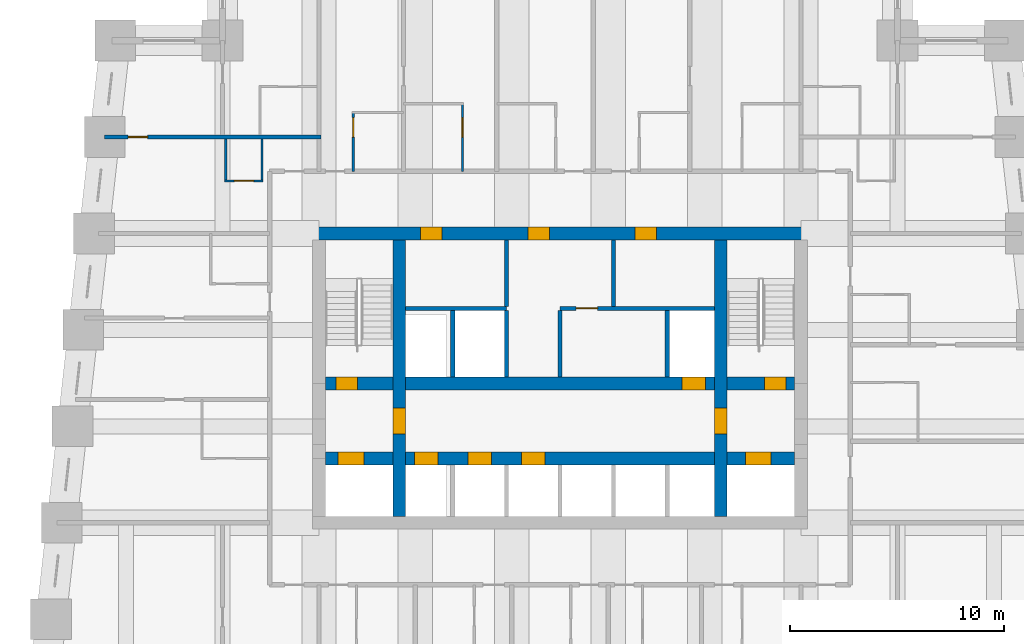
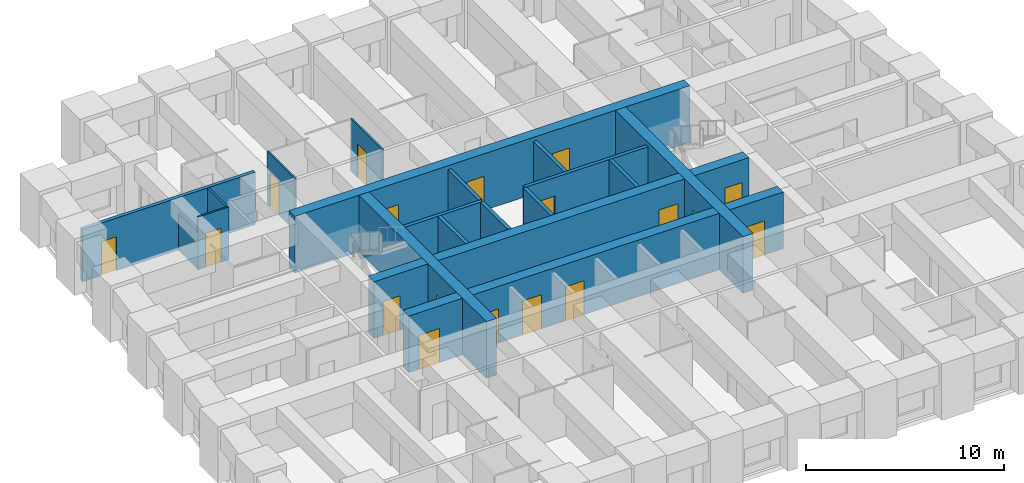
# One storey, part 4 of 8: 19 walls, 18 doors, 18 openings.
"""IFC4 building model written with IfcOpenShell, lengths in metres."""

from ifc_helpers import new_model, si_unit, direction, frame, frame_2d, origin, place, context, subcontext, project, spatial, rectangle, extrude, material, layer, layer_set, type_object, element, fill, save


model = new_model("IFC4")

# Units and contexts
model_context = context("Model", 3, precision=1e-05, world=origin(), true_north=direction((0.0, 1.0)))
body_context = subcontext(model_context, "Body", "Model", "MODEL_VIEW")
ifc_project = project(units=[si_unit("LENGTHUNIT", "METRE"), si_unit("AREAUNIT", "SQUARE_METRE"), si_unit("VOLUMEUNIT", "CUBIC_METRE"), si_unit("PLANEANGLEUNIT", "RADIAN"), si_unit("MASSUNIT", "GRAM", prefix="KILO")], contexts=[model_context])

# Site, building, storey
site_placement = place(None, origin())
site = spatial("IfcSite", under=ifc_project, at=site_placement, CompositionType="ELEMENT")
building_placement = place(site_placement, origin())
building = spatial("IfcBuilding", under=site, at=building_placement, Name="Kilele Tower Hotel", CompositionType="ELEMENT")
storey_placement = place(building_placement, frame((0.0, 0.0, 68.199951171875)))
storey = spatial("IfcBuildingStorey", under=building, at=storey_placement, Name="L16", CompositionType="ELEMENT", Elevation=68.199951171875)

# Wall, opening, door
ifc_material_1 = material(Name="Moisture-resistant board")
ifc_layer_1 = layer(ifc_material_1, 0.10009765625)
ifc_layer_set_1 = layer_set([ifc_layer_1], Name="Moisture-resistant board")
wall_type_1 = type_object("IfcWallType", Name="Bathroom partition 100", PredefinedType="PLUMBINGWALL", material=ifc_layer_set_1)
wall_1_placement = place(storey_placement, frame((15.10009765625, 29.89990234375, 0.0), z_axis=(0.0, 0.0, 1.0), x_axis=(0.0, 1.0, 0.0)))
wall_1 = element("IfcWall", 1, at=wall_1_placement, inside=storey, type_object=wall_type_1, Name="Bathroom partition 100 L16", PredefinedType="PLUMBINGWALL", context=body_context, shape_type="SweptSolid", body=[
    extrude(rectangle(XDim=2.800048828125, YDim=0.10009765625, at=frame_2d((1.39990234375, 0.0))), origin(), (0.0, 0.0, 1.0), 3.25),
])
opening_1_placement = place(wall_1_placement, frame((1.60009765625, 0.0, 0.0)))
opening_1 = element("IfcOpeningElement", 2, at=opening_1_placement, cuts=wall_1, Name="Opening D2A", PredefinedType="OPENING", context=body_context, shape_type="SweptSolid", body=[
    extrude(rectangle(XDim=0.89990234375, YDim=2.10009765625, at=frame_2d((0.449951171875, 1.050048828125))), frame((0.0, 0.06005859375, 0.0), z_axis=(0.0, -1.0, 0.0), x_axis=(1.0, 0.0, 0.0)), (0.0, 0.0, 1.0), 0.1201171875),
])
ifc_material_2 = material(Name="Timber door leaf in hardwood frame", Category="wood")
door_type_1 = type_object("IfcDoorType", Name="Bathroom door 900", OperationType="SINGLE_SWING_LEFT", PredefinedType="DOOR", material=ifc_material_2)
door_1_placement = place(opening_1_placement, origin())
door_1 = element("IfcDoor", 3, at=door_1_placement, inside=storey, type_object=door_type_1, Name="Bathroom door 1609B", OperationType="SINGLE_SWING_LEFT", OverallHeight=2.10009765625, OverallWidth=0.89990234375, PredefinedType="DOOR", context=body_context, shape_type="SweptSolid", body=[
    extrude(rectangle(XDim=0.89990234375, YDim=2.10009765625, at=frame_2d((0.449951171875, 1.050048828125))), frame((0.0, 0.02490234375, 0.0), z_axis=(0.0, -1.0, 0.0), x_axis=(1.0, 0.0, 0.0)), (0.0, 0.0, 1.0), 0.050048828125),
])
fill(opening_1, door_1)

wall_2_placement = place(storey_placement, frame((20.199951171875, 29.89990234375, 0.0), z_axis=(0.0, 0.0, 1.0), x_axis=(0.0, 1.0, 0.0)))
wall_2 = element("IfcWall", 4, at=wall_2_placement, inside=storey, type_object=wall_type_1, Name="Bathroom partition 100 L16", PredefinedType="PLUMBINGWALL", context=body_context, shape_type="SweptSolid", body=[
    extrude(rectangle(XDim=3.2001953125, YDim=0.10009765625, at=frame_2d((1.60009765625, 0.0))), origin(), (0.0, 0.0, 1.0), 3.25),
])
opening_2_placement = place(wall_2_placement, frame((2.5, 0.0, 0.0), z_axis=(0.0, 0.0, 1.0), x_axis=(-1.0, 0.0, 0.0)))
opening_2 = element("IfcOpeningElement", 5, at=opening_2_placement, cuts=wall_2, Name="Opening D2A", PredefinedType="OPENING", context=body_context, shape_type="SweptSolid", body=[
    extrude(rectangle(XDim=0.89990234375, YDim=2.10009765625, at=frame_2d((0.449951171875, 1.050048828125))), frame((0.0, 0.06005859375, 0.0), z_axis=(0.0, -1.0, 0.0), x_axis=(1.0, 0.0, 0.0)), (0.0, 0.0, 1.0), 0.1201171875),
])
door_2_placement = place(opening_2_placement, origin())
door_2 = element("IfcDoor", 6, at=door_2_placement, inside=storey, type_object=door_type_1, Name="Bathroom door 1610B", OperationType="SINGLE_SWING_RIGHT", OverallHeight=2.10009765625, OverallWidth=0.89990234375, PredefinedType="DOOR", context=body_context, shape_type="SweptSolid", body=[
    extrude(rectangle(XDim=0.89990234375, YDim=2.10009765625, at=frame_2d((0.449951171875, 1.050048828125))), frame((0.0, 0.02490234375, 0.0), z_axis=(0.0, -1.0, 0.0), x_axis=(1.0, 0.0, 0.0)), (0.0, 0.0, 1.0), 0.050048828125),
])
fill(opening_2, door_2)

# Walls
wall_3_placement = place(storey_placement, frame((9.14990234375, 31.39990234375, 0.0), z_axis=(0.0, 0.0, 1.0), x_axis=(0.0, -1.0, 0.0)))
element("IfcWall", 7, at=wall_3_placement, inside=storey, type_object=wall_type_1, Name="Bathroom partition 100 L16", PredefinedType="PLUMBINGWALL", context=body_context, shape_type="SweptSolid", body=[
    extrude(rectangle(XDim=2.0, YDim=0.10009765625, at=frame_2d((1.0, 0.0))), origin(), (0.0, 0.0, 1.0), 2.25),
])
wall_4_placement = place(storey_placement, frame((10.85009765625, 31.39990234375, 0.0), z_axis=(0.0, 0.0, 1.0), x_axis=(0.0, -1.0, 0.0)))
element("IfcWall", 8, at=wall_4_placement, inside=storey, type_object=wall_type_1, Name="Bathroom partition 100 L16", PredefinedType="PLUMBINGWALL", context=body_context, shape_type="SweptSolid", body=[
    extrude(rectangle(XDim=2.0, YDim=0.10009765625, at=frame_2d((1.0, 0.0))), origin(), (0.0, 0.0, 1.0), 3.25),
])

# Wall, opening, door
wall_5_placement = place(storey_placement, frame((10.89990234375, 29.449951171875, 0.0), z_axis=(0.0, 0.0, 1.0), x_axis=(-1.0, 0.0, 0.0)))
wall_5 = element("IfcWall", 9, at=wall_5_placement, inside=storey, type_object=wall_type_1, Name="Bathroom partition 100 L16", PredefinedType="PLUMBINGWALL", context=body_context, shape_type="SweptSolid", body=[
    extrude(rectangle(XDim=1.7998046875, YDim=0.10009765625, at=frame_2d((0.89990234375, 0.0))), origin(), (0.0, 0.0, 1.0), 3.25),
])
opening_3_placement = place(wall_5_placement, frame((0.449951171875, 0.0, 0.0)))
opening_3 = element("IfcOpeningElement", 10, at=opening_3_placement, cuts=wall_5, Name="Opening D2A", PredefinedType="OPENING", context=body_context, shape_type="SweptSolid", body=[
    extrude(rectangle(XDim=0.89990234375, YDim=2.10009765625, at=frame_2d((0.449951171875, 1.050048828125))), frame((0.0, 0.06005859375, 0.0), z_axis=(0.0, -1.0, 0.0), x_axis=(1.0, 0.0, 0.0)), (0.0, 0.0, 1.0), 0.1201171875),
])
door_3_placement = place(opening_3_placement, origin())
door_3 = element("IfcDoor", 11, at=door_3_placement, inside=storey, type_object=door_type_1, Name="Bathroom door 1626P", OperationType="SINGLE_SWING_LEFT", OverallHeight=2.10009765625, OverallWidth=0.89990234375, PredefinedType="DOOR", context=body_context, shape_type="SweptSolid", body=[
    extrude(rectangle(XDim=0.89990234375, YDim=2.10009765625, at=frame_2d((0.449951171875, 1.050048828125))), frame((0.0, 0.02490234375, 0.0), z_axis=(0.0, -1.0, 0.0), x_axis=(1.0, 0.0, 0.0)), (0.0, 0.0, 1.0), 0.050048828125),
])
fill(opening_3, door_3)

# Wall, openings, doors
ifc_material_3 = material(Name="Concrete C60/75", Category="concrete")
ifc_layer_2 = layer(ifc_material_3, 0.60009765625)
ifc_layer_set_2 = layer_set([ifc_layer_2], Name="Concrete C60/75")
wall_type_2 = type_object("IfcWallType", Name="Core wall 600 C60/75", PredefinedType="SHEAR", material=ifc_layer_set_2)
wall_6_placement = place(storey_placement, frame((36.300048828125, 27.0, 0.0), z_axis=(0.0, 0.0, 1.0), x_axis=(-1.0, 0.0, 0.0)))
wall_6 = element("IfcWall", 12, at=wall_6_placement, inside=storey, type_object=wall_type_2, Name="Core wall N L16", PredefinedType="SHEAR", context=body_context, shape_type="SweptSolid", body=[
    extrude(rectangle(XDim=23.10009765625, YDim=0.60009765625, at=frame_2d((11.550048828125, 0.0))), origin(), (0.0, 0.0, 1.0), 3.5),
])
opening_4_placement = place(wall_6_placement, frame((17.050048828125, 0.0, 0.0)))
opening_4 = element("IfcOpeningElement", 13, at=opening_4_placement, cuts=wall_6, Name="Opening D6", PredefinedType="OPENING", context=body_context, shape_type="SweptSolid", body=[
    extrude(rectangle(XDim=1.0, YDim=2.10009765625, at=frame_2d((0.5, 1.050048828125))), frame((0.0, 0.31005859375, 0.0), z_axis=(0.0, -1.0, 0.0), x_axis=(1.0, 0.0, 0.0)), (0.0, 0.0, 1.0), 0.6201171875),
])
opening_5_placement = place(wall_6_placement, frame((12.050048828125, 0.0, 0.0)))
opening_5 = element("IfcOpeningElement", 14, at=opening_5_placement, cuts=wall_6, Name="Opening D6", PredefinedType="OPENING", context=body_context, shape_type="SweptSolid", body=[
    extrude(rectangle(XDim=1.0, YDim=2.10009765625, at=frame_2d((0.5, 1.050048828125))), frame((0.0, 0.31005859375, 0.0), z_axis=(0.0, -1.0, 0.0), x_axis=(1.0, 0.0, 0.0)), (0.0, 0.0, 1.0), 0.6201171875),
])
opening_6_placement = place(wall_6_placement, frame((7.050048828125, 0.0, 0.0)))
opening_6 = element("IfcOpeningElement", 15, at=opening_6_placement, cuts=wall_6, Name="Opening D6", PredefinedType="OPENING", context=body_context, shape_type="SweptSolid", body=[
    extrude(rectangle(XDim=1.0, YDim=2.10009765625, at=frame_2d((0.5, 1.050048828125))), frame((0.0, 0.31005859375, 0.0), z_axis=(0.0, -1.0, 0.0), x_axis=(1.0, 0.0, 0.0)), (0.0, 0.0, 1.0), 0.6201171875),
])
ifc_material_4 = material(Name="Timber door leaf in hardwood frame", Category="wood")
door_type_2 = type_object("IfcDoorType", Name="Riser door 1000", OperationType="SINGLE_SWING_LEFT", PredefinedType="DOOR", material=ifc_material_4)
door_4_placement = place(opening_4_placement, origin())
door_4 = element("IfcDoor", 16, at=door_4_placement, inside=storey, type_object=door_type_2, Name="Service riser door L16", OperationType="SINGLE_SWING_RIGHT", OverallHeight=2.10009765625, OverallWidth=1.0, PredefinedType="DOOR", context=body_context, shape_type="SweptSolid", body=[
    extrude(rectangle(XDim=1.0, YDim=2.10009765625, at=frame_2d((0.5, 1.050048828125))), frame((0.0, 0.2998046875, 0.0), z_axis=(0.0, -1.0, 0.0), x_axis=(1.0, 0.0, 0.0)), (0.0, 0.0, 1.0), 0.599609375),
])
fill(opening_4, door_4)
door_5_placement = place(opening_5_placement, origin())
door_5 = element("IfcDoor", 17, at=door_5_placement, inside=storey, type_object=door_type_2, Name="Linen store door L16", OperationType="SINGLE_SWING_RIGHT", OverallHeight=2.10009765625, OverallWidth=1.0, PredefinedType="DOOR", context=body_context, shape_type="SweptSolid", body=[
    extrude(rectangle(XDim=1.0, YDim=2.10009765625, at=frame_2d((0.5, 1.050048828125))), frame((0.0, 0.2998046875, 0.0), z_axis=(0.0, -1.0, 0.0), x_axis=(1.0, 0.0, 0.0)), (0.0, 0.0, 1.0), 0.599609375),
])
fill(opening_5, door_5)
door_6_placement = place(opening_6_placement, origin())
door_6 = element("IfcDoor", 18, at=door_6_placement, inside=storey, type_object=door_type_2, Name="Electrical riser door L16", OperationType="SINGLE_SWING_RIGHT", OverallHeight=2.10009765625, OverallWidth=1.0, PredefinedType="DOOR", context=body_context, shape_type="SweptSolid", body=[
    extrude(rectangle(XDim=1.0, YDim=2.10009765625, at=frame_2d((0.5, 1.050048828125))), frame((0.0, 0.2998046875, 0.0), z_axis=(0.0, -1.0, 0.0), x_axis=(1.0, 0.0, 0.0)), (0.0, 0.0, 1.0), 0.599609375),
])
fill(opening_6, door_6)

# Wall, opening, door
wall_7_placement = place(storey_placement, frame((17.25, 13.800048828125, 0.0), z_axis=(0.0, 0.0, 1.0), x_axis=(0.0, 1.0, 0.0)))
wall_7 = element("IfcWall", 19, at=wall_7_placement, inside=storey, type_object=wall_type_2, Name="Core wall IW L16", PredefinedType="SHEAR", context=body_context, shape_type="SweptSolid", body=[
    extrude(rectangle(XDim=12.89990234375, YDim=0.60009765625, at=frame_2d((6.449951171875, 0.0))), origin(), (0.0, 0.0, 1.0), 3.5),
])
opening_7_placement = place(wall_7_placement, frame((3.85009765625, 0.0, 0.0)))
opening_7 = element("IfcOpeningElement", 20, at=opening_7_placement, cuts=wall_7, Name="Opening D4", PredefinedType="OPENING", context=body_context, shape_type="SweptSolid", body=[
    extrude(rectangle(XDim=1.199951171875, YDim=2.10009765625, at=frame_2d((0.60009765625, 1.050048828125))), frame((0.0, 0.31005859375, 0.0), z_axis=(0.0, -1.0, 0.0), x_axis=(1.0, 0.0, 0.0)), (0.0, 0.0, 1.0), 0.6201171875),
])
ifc_material_5 = material(Name="Timber door leaf in hardwood frame", Category="wood")
door_type_3 = type_object("IfcDoorType", Name="Firefighting lobby door 1200", OperationType="SINGLE_SWING_LEFT", PredefinedType="DOOR", material=ifc_material_5)
door_7_placement = place(opening_7_placement, origin())
door_7 = element("IfcDoor", 21, at=door_7_placement, inside=storey, type_object=door_type_3, Name="Lobby door L16", OperationType="SINGLE_SWING_LEFT", OverallHeight=2.10009765625, OverallWidth=1.199951171875, PredefinedType="DOOR", context=body_context, shape_type="SweptSolid", body=[
    extrude(rectangle(XDim=1.199951171875, YDim=2.10009765625, at=frame_2d((0.60009765625, 1.050048828125))), frame((0.0, 0.2998046875, 0.0), z_axis=(0.0, -1.0, 0.0), x_axis=(1.0, 0.0, 0.0)), (0.0, 0.0, 1.0), 0.599609375),
])
fill(opening_7, door_7)

wall_8_placement = place(storey_placement, frame((32.25, 13.800048828125, 0.0), z_axis=(0.0, 0.0, 1.0), x_axis=(0.0, 1.0, 0.0)))
wall_8 = element("IfcWall", 22, at=wall_8_placement, inside=storey, type_object=wall_type_2, Name="Core wall IE L16", PredefinedType="SHEAR", context=body_context, shape_type="SweptSolid", body=[
    extrude(rectangle(XDim=12.89990234375, YDim=0.60009765625, at=frame_2d((6.449951171875, 0.0))), origin(), (0.0, 0.0, 1.0), 3.5),
])
opening_8_placement = place(wall_8_placement, frame((5.050048828125, 0.0, 0.0), z_axis=(0.0, 0.0, 1.0), x_axis=(-1.0, 0.0, 0.0)))
opening_8 = element("IfcOpeningElement", 23, at=opening_8_placement, cuts=wall_8, Name="Opening D4", PredefinedType="OPENING", context=body_context, shape_type="SweptSolid", body=[
    extrude(rectangle(XDim=1.199951171875, YDim=2.10009765625, at=frame_2d((0.60009765625, 1.050048828125))), frame((0.0, 0.31005859375, 0.0), z_axis=(0.0, -1.0, 0.0), x_axis=(1.0, 0.0, 0.0)), (0.0, 0.0, 1.0), 0.6201171875),
])
door_8_placement = place(opening_8_placement, origin())
door_8 = element("IfcDoor", 24, at=door_8_placement, inside=storey, type_object=door_type_3, Name="Lobby door L16", OperationType="SINGLE_SWING_RIGHT", OverallHeight=2.10009765625, OverallWidth=1.199951171875, PredefinedType="DOOR", context=body_context, shape_type="SweptSolid", body=[
    extrude(rectangle(XDim=1.199951171875, YDim=2.10009765625, at=frame_2d((0.60009765625, 1.050048828125))), frame((0.0, 0.2998046875, 0.0), z_axis=(0.0, -1.0, 0.0), x_axis=(1.0, 0.0, 0.0)), (0.0, 0.0, 1.0), 0.599609375),
])
fill(opening_8, door_8)

# Wall, openings, doors
wall_9_placement = place(storey_placement, frame((13.800048828125, 16.5, 0.0), z_axis=(0.0, 0.0, 1.0), x_axis=(1.0, 0.0, 0.0)))
wall_9 = element("IfcWall", 25, at=wall_9_placement, inside=storey, type_object=wall_type_2, Name="Core wall LS L16", PredefinedType="SHEAR", context=body_context, shape_type="SweptSolid", body=[
    extrude(rectangle(XDim=21.89990234375, YDim=0.60009765625, at=frame_2d((10.949951171875, 0.0))), origin(), (0.0, 0.0, 1.0), 3.5),
])
opening_9_placement = place(wall_9_placement, frame((4.14990234375, 0.0, 0.0)))
opening_9 = element("IfcOpeningElement", 26, at=opening_9_placement, cuts=wall_9, Name="Opening LD1", PredefinedType="OPENING", context=body_context, shape_type="SweptSolid", body=[
    extrude(rectangle(XDim=1.10009765625, YDim=2.10009765625, at=frame_2d((0.550048828125, 1.050048828125))), frame((0.0, 0.31005859375, 0.0), z_axis=(0.0, -1.0, 0.0), x_axis=(1.0, 0.0, 0.0)), (0.0, 0.0, 1.0), 0.6201171875),
])
opening_10_placement = place(wall_9_placement, frame((6.64990234375, 0.0, 0.0)))
opening_10 = element("IfcOpeningElement", 27, at=opening_10_placement, cuts=wall_9, Name="Opening LD1", PredefinedType="OPENING", context=body_context, shape_type="SweptSolid", body=[
    extrude(rectangle(XDim=1.10009765625, YDim=2.10009765625, at=frame_2d((0.550048828125, 1.050048828125))), frame((0.0, 0.31005859375, 0.0), z_axis=(0.0, -1.0, 0.0), x_axis=(1.0, 0.0, 0.0)), (0.0, 0.0, 1.0), 0.6201171875),
])
opening_11_placement = place(wall_9_placement, frame((9.14990234375, 0.0, 0.0)))
opening_11 = element("IfcOpeningElement", 28, at=opening_11_placement, cuts=wall_9, Name="Opening LD1", PredefinedType="OPENING", context=body_context, shape_type="SweptSolid", body=[
    extrude(rectangle(XDim=1.10009765625, YDim=2.10009765625, at=frame_2d((0.550048828125, 1.050048828125))), frame((0.0, 0.31005859375, 0.0), z_axis=(0.0, -1.0, 0.0), x_axis=(1.0, 0.0, 0.0)), (0.0, 0.0, 1.0), 0.6201171875),
])
opening_12_placement = place(wall_9_placement, frame((0.60009765625, 0.0, 0.0)))
opening_12 = element("IfcOpeningElement", 29, at=opening_12_placement, cuts=wall_9, Name="Opening LD2", PredefinedType="OPENING", context=body_context, shape_type="SweptSolid", body=[
    extrude(rectangle(XDim=1.199951171875, YDim=2.10009765625, at=frame_2d((0.60009765625, 1.050048828125))), frame((0.0, 0.31005859375, 0.0), z_axis=(0.0, -1.0, 0.0), x_axis=(1.0, 0.0, 0.0)), (0.0, 0.0, 1.0), 0.6201171875),
])
opening_13_placement = place(wall_9_placement, frame((19.60009765625, 0.0, 0.0)))
opening_13 = element("IfcOpeningElement", 30, at=opening_13_placement, cuts=wall_9, Name="Opening LD2", PredefinedType="OPENING", context=body_context, shape_type="SweptSolid", body=[
    extrude(rectangle(XDim=1.199951171875, YDim=2.10009765625, at=frame_2d((0.60009765625, 1.050048828125))), frame((0.0, 0.31005859375, 0.0), z_axis=(0.0, -1.0, 0.0), x_axis=(1.0, 0.0, 0.0)), (0.0, 0.0, 1.0), 0.6201171875),
])
ifc_material_6 = material(Name="Steel lift landing door", Category="steel")
door_type_4 = type_object("IfcDoorType", Name="Firefighting lift landing door 1200", OperationType="SLIDING_TO_LEFT", PredefinedType="DOOR", material=ifc_material_6)
door_9_placement = place(opening_12_placement, origin())
door_9 = element("IfcDoor", 31, at=door_9_placement, inside=storey, type_object=door_type_4, Name="Landing door FFW L16", OperationType="SLIDING_TO_LEFT", OverallHeight=2.10009765625, OverallWidth=1.199951171875, PredefinedType="DOOR", context=body_context, shape_type="SweptSolid", body=[
    extrude(rectangle(XDim=1.199951171875, YDim=2.10009765625, at=frame_2d((0.60009765625, 1.050048828125))), frame((0.0, 0.2998046875, 0.0), z_axis=(0.0, -1.0, 0.0), x_axis=(1.0, 0.0, 0.0)), (0.0, 0.0, 1.0), 0.599609375),
])
fill(opening_12, door_9)
door_10_placement = place(opening_13_placement, origin())
door_10 = element("IfcDoor", 32, at=door_10_placement, inside=storey, type_object=door_type_4, Name="Landing door FFE L16", OperationType="SLIDING_TO_LEFT", OverallHeight=2.10009765625, OverallWidth=1.199951171875, PredefinedType="DOOR", context=body_context, shape_type="SweptSolid", body=[
    extrude(rectangle(XDim=1.199951171875, YDim=2.10009765625, at=frame_2d((0.60009765625, 1.050048828125))), frame((0.0, 0.2998046875, 0.0), z_axis=(0.0, -1.0, 0.0), x_axis=(1.0, 0.0, 0.0)), (0.0, 0.0, 1.0), 0.599609375),
])
fill(opening_13, door_10)
ifc_material_7 = material(Name="Steel lift landing door", Category="steel")
door_type_5 = type_object("IfcDoorType", Name="Lift landing door 1100", OperationType="SLIDING_TO_LEFT", PredefinedType="DOOR", material=ifc_material_7)
door_11_placement = place(opening_9_placement, origin())
door_11 = element("IfcDoor", 33, at=door_11_placement, inside=storey, type_object=door_type_5, Name="Landing door L1 L16", OperationType="SLIDING_TO_LEFT", OverallHeight=2.10009765625, OverallWidth=1.10009765625, PredefinedType="DOOR", context=body_context, shape_type="SweptSolid", body=[
    extrude(rectangle(XDim=1.10009765625, YDim=2.10009765625, at=frame_2d((0.550048828125, 1.050048828125))), frame((0.0, 0.2998046875, 0.0), z_axis=(0.0, -1.0, 0.0), x_axis=(1.0, 0.0, 0.0)), (0.0, 0.0, 1.0), 0.599609375),
])
fill(opening_9, door_11)
door_12_placement = place(opening_10_placement, origin())
door_12 = element("IfcDoor", 34, at=door_12_placement, inside=storey, type_object=door_type_5, Name="Landing door L2 L16", OperationType="SLIDING_TO_LEFT", OverallHeight=2.10009765625, OverallWidth=1.10009765625, PredefinedType="DOOR", context=body_context, shape_type="SweptSolid", body=[
    extrude(rectangle(XDim=1.10009765625, YDim=2.10009765625, at=frame_2d((0.550048828125, 1.050048828125))), frame((0.0, 0.2998046875, 0.0), z_axis=(0.0, -1.0, 0.0), x_axis=(1.0, 0.0, 0.0)), (0.0, 0.0, 1.0), 0.599609375),
])
fill(opening_10, door_12)
door_13_placement = place(opening_11_placement, origin())
door_13 = element("IfcDoor", 35, at=door_13_placement, inside=storey, type_object=door_type_5, Name="Landing door L3 L16", OperationType="SLIDING_TO_LEFT", OverallHeight=2.10009765625, OverallWidth=1.10009765625, PredefinedType="DOOR", context=body_context, shape_type="SweptSolid", body=[
    extrude(rectangle(XDim=1.10009765625, YDim=2.10009765625, at=frame_2d((0.550048828125, 1.050048828125))), frame((0.0, 0.2998046875, 0.0), z_axis=(0.0, -1.0, 0.0), x_axis=(1.0, 0.0, 0.0)), (0.0, 0.0, 1.0), 0.599609375),
])
fill(opening_11, door_13)

wall_10_placement = place(storey_placement, frame((13.800048828125, 20.0, 0.0), z_axis=(0.0, 0.0, 1.0), x_axis=(1.0, 0.0, 0.0)))
wall_10 = element("IfcWall", 36, at=wall_10_placement, inside=storey, type_object=wall_type_2, Name="Core wall LN L16", PredefinedType="SHEAR", context=body_context, shape_type="SweptSolid", body=[
    extrude(rectangle(XDim=21.89990234375, YDim=0.60009765625, at=frame_2d((10.949951171875, 0.0))), origin(), (0.0, 0.0, 1.0), 3.5),
])
opening_14_placement = place(wall_10_placement, frame((0.5, 0.0, 0.0)))
opening_14 = element("IfcOpeningElement", 37, at=opening_14_placement, cuts=wall_10, Name="Opening D5", PredefinedType="OPENING", context=body_context, shape_type="SweptSolid", body=[
    extrude(rectangle(XDim=1.0, YDim=2.10009765625, at=frame_2d((0.5, 1.050048828125))), frame((0.0, 0.31005859375, 0.0), z_axis=(0.0, -1.0, 0.0), x_axis=(1.0, 0.0, 0.0)), (0.0, 0.0, 1.0), 0.6201171875),
])
opening_15_placement = place(wall_10_placement, frame((20.5, 0.0, 0.0)))
opening_15 = element("IfcOpeningElement", 38, at=opening_15_placement, cuts=wall_10, Name="Opening D5", PredefinedType="OPENING", context=body_context, shape_type="SweptSolid", body=[
    extrude(rectangle(XDim=1.0, YDim=2.10009765625, at=frame_2d((0.5, 1.050048828125))), frame((0.0, 0.31005859375, 0.0), z_axis=(0.0, -1.0, 0.0), x_axis=(1.0, 0.0, 0.0)), (0.0, 0.0, 1.0), 0.6201171875),
])
opening_16_placement = place(wall_10_placement, frame((16.64990234375, 0.0, 0.0)))
opening_16 = element("IfcOpeningElement", 39, at=opening_16_placement, cuts=wall_10, Name="Opening LD1", PredefinedType="OPENING", context=body_context, shape_type="SweptSolid", body=[
    extrude(rectangle(XDim=1.10009765625, YDim=2.10009765625, at=frame_2d((0.550048828125, 1.050048828125))), frame((0.0, 0.31005859375, 0.0), z_axis=(0.0, -1.0, 0.0), x_axis=(1.0, 0.0, 0.0)), (0.0, 0.0, 1.0), 0.6201171875),
])
door_14_placement = place(opening_16_placement, origin())
door_14 = element("IfcDoor", 40, at=door_14_placement, inside=storey, type_object=door_type_5, Name="Landing door G1 L16", OperationType="SLIDING_TO_LEFT", OverallHeight=2.10009765625, OverallWidth=1.10009765625, PredefinedType="DOOR", context=body_context, shape_type="SweptSolid", body=[
    extrude(rectangle(XDim=1.10009765625, YDim=2.10009765625, at=frame_2d((0.550048828125, 1.050048828125))), frame((0.0, 0.2998046875, 0.0), z_axis=(0.0, -1.0, 0.0), x_axis=(1.0, 0.0, 0.0)), (0.0, 0.0, 1.0), 0.599609375),
])
fill(opening_16, door_14)
ifc_material_8 = material(Name="Timber door leaf in hardwood frame", Category="wood")
door_type_6 = type_object("IfcDoorType", Name="Stair door 1000", OperationType="SINGLE_SWING_LEFT", PredefinedType="DOOR", material=ifc_material_8)
door_15_placement = place(opening_14_placement, origin())
door_15 = element("IfcDoor", 41, at=door_15_placement, inside=storey, type_object=door_type_6, Name="Stair 1 door L16", OperationType="SINGLE_SWING_LEFT", OverallHeight=2.10009765625, OverallWidth=1.0, PredefinedType="DOOR", context=body_context, shape_type="SweptSolid", body=[
    extrude(rectangle(XDim=1.0, YDim=2.10009765625, at=frame_2d((0.5, 1.050048828125))), frame((0.0, 0.2998046875, 0.0), z_axis=(0.0, -1.0, 0.0), x_axis=(1.0, 0.0, 0.0)), (0.0, 0.0, 1.0), 0.599609375),
])
fill(opening_14, door_15)
door_16_placement = place(opening_15_placement, origin())
door_16 = element("IfcDoor", 42, at=door_16_placement, inside=storey, type_object=door_type_6, Name="Stair 2 door L16", OperationType="SINGLE_SWING_RIGHT", OverallHeight=2.10009765625, OverallWidth=1.0, PredefinedType="DOOR", context=body_context, shape_type="SweptSolid", body=[
    extrude(rectangle(XDim=1.0, YDim=2.10009765625, at=frame_2d((0.5, 1.050048828125))), frame((0.0, 0.2998046875, 0.0), z_axis=(0.0, -1.0, 0.0), x_axis=(1.0, 0.0, 0.0)), (0.0, 0.0, 1.0), 0.599609375),
])
fill(opening_15, door_16)

# Wall, opening, door
ifc_material_9 = material(Name="Blockwork, plastered both sides", Category="masonry")
ifc_layer_3 = layer(ifc_material_9, 0.199951171875)
ifc_layer_set_3 = layer_set([ifc_layer_3], Name="Blockwork, plastered both sides")
wall_type_3 = type_object("IfcWallType", Name="Party wall 200", PredefinedType="PARTITIONING", material=ifc_layer_set_3)
wall_11_placement = place(storey_placement, frame((13.60009765625, 31.5, 0.0), z_axis=(0.0, 0.0, 1.0), x_axis=(-1.0, 0.0, 0.0)))
wall_11 = element("IfcWall", 43, at=wall_11_placement, inside=storey, type_object=wall_type_3, Name="Party wall 200 L16", PredefinedType="PARTITIONING", context=body_context, shape_type="SweptSolid", body=[
    extrude(rectangle(XDim=10.09912109375, YDim=0.199951171875, at=frame_2d((5.049560546875, 0.0))), origin(), (0.0, 0.0, 1.0), 3.25),
])
opening_17_placement = place(wall_11_placement, frame((8.9990234375, 0.0, 0.0), z_axis=(0.0, 0.0, 1.0), x_axis=(-1.0, 0.0, 0.0)))
opening_17 = element("IfcOpeningElement", 44, at=opening_17_placement, cuts=wall_11, Name="Opening D3", PredefinedType="OPENING", context=body_context, shape_type="SweptSolid", body=[
    extrude(rectangle(XDim=0.89990234375, YDim=2.10009765625, at=frame_2d((0.449951171875, 1.050048828125))), frame((0.0, 0.10986328125, 0.0), z_axis=(0.0, -1.0, 0.0), x_axis=(1.0, 0.0, 0.0)), (0.0, 0.0, 1.0), 0.219970703125),
])
ifc_material_10 = material(Name="Timber door leaf in hardwood frame", Category="wood")
door_type_7 = type_object("IfcDoorType", Name="Suite internal door 900", OperationType="SINGLE_SWING_LEFT", PredefinedType="DOOR", material=ifc_material_10)
door_17_placement = place(opening_17_placement, origin())
door_17 = element("IfcDoor", 45, at=door_17_placement, inside=storey, type_object=door_type_7, Name="Suite door 1627", OperationType="SINGLE_SWING_LEFT", OverallHeight=2.10009765625, OverallWidth=0.89990234375, PredefinedType="DOOR", context=body_context, shape_type="SweptSolid", body=[
    extrude(rectangle(XDim=0.89990234375, YDim=2.10009765625, at=frame_2d((0.449951171875, 1.050048828125))), frame((0.0, 0.02490234375, 0.0), z_axis=(0.0, -1.0, 0.0), x_axis=(1.0, 0.0, 0.0)), (0.0, 0.0, 1.0), 0.050048828125),
])
fill(opening_17, door_17)

# Walls
ifc_material_11 = material(Name="Blockwork, fire-rated", Category="masonry")
ifc_layer_4 = layer(ifc_material_11, 0.199951171875)
ifc_layer_set_4 = layer_set([ifc_layer_4], Name="Blockwork, fire-rated")
wall_type_4 = type_object("IfcWallType", Name="Shaft wall 200", PredefinedType="PARTITIONING", material=ifc_layer_set_4)
for number, where, z_axis, x_axis, name in (
    (46, (19.75, 20.300048828125, 0.0), (0.0, 0.0, 1.0), (0.0, 1.0, 0.0), "Shaft wall 200 L16"),
    (47, (22.25, 20.300048828125, 0.0), (0.0, 0.0, 1.0), (0.0, 1.0, 0.0), "Shaft wall 200 L16"),
    (48, (24.75, 20.300048828125, 0.0), (0.0, 0.0, 1.0), (0.0, 1.0, 0.0), "Shaft wall 200 L16"),
    (49, (29.75, 20.300048828125, 0.0), (0.0, 0.0, 1.0), (0.0, 1.0, 0.0), "Shaft wall 200 L16"),
):
    element("IfcWall", number, at=place(storey_placement, frame(where, z_axis=z_axis, x_axis=x_axis)), inside=storey, type_object=wall_type_4, Name=name, PredefinedType="PARTITIONING", context=body_context, shape_type="SweptSolid", body=[
        extrude(rectangle(XDim=3.099853515625, YDim=0.199951171875, at=frame_2d((1.5498046875, 0.0))), origin(), (0.0, 0.0, 1.0), 3.25),
    ])
wall_12_placement = place(storey_placement, frame((17.550048828125, 23.5, 0.0), z_axis=(0.0, 0.0, 1.0), x_axis=(1.0, 0.0, 0.0)))
element("IfcWall", 50, at=wall_12_placement, inside=storey, type_object=wall_type_4, Name="Shaft wall 200 L16", PredefinedType="PARTITIONING", context=body_context, shape_type="SweptSolid", body=[
    extrude(rectangle(XDim=4.699951171875, YDim=0.199951171875, at=frame_2d((2.35009765625, 0.0))), origin(), (0.0, 0.0, 1.0), 3.25),
])

# Wall, opening, door
wall_13_placement = place(storey_placement, frame((24.75, 23.5, 0.0), z_axis=(0.0, 0.0, 1.0), x_axis=(1.0, 0.0, 0.0)))
wall_13 = element("IfcWall", 51, at=wall_13_placement, inside=storey, type_object=wall_type_4, Name="Shaft wall 200 L16", PredefinedType="PARTITIONING", context=body_context, shape_type="SweptSolid", body=[
    extrude(rectangle(XDim=7.199951171875, YDim=0.199951171875, at=frame_2d((3.60009765625, 0.0))), origin(), (0.0, 0.0, 1.0), 3.25),
])
opening_18_placement = place(wall_13_placement, frame((0.75, 0.0, 0.0)))
opening_18 = element("IfcOpeningElement", 52, at=opening_18_placement, cuts=wall_13, Name="Opening D11", PredefinedType="OPENING", context=body_context, shape_type="SweptSolid", body=[
    extrude(rectangle(XDim=1.0, YDim=2.10009765625, at=frame_2d((0.5, 1.050048828125))), frame((0.0, 0.10986328125, 0.0), z_axis=(0.0, -1.0, 0.0), x_axis=(1.0, 0.0, 0.0)), (0.0, 0.0, 1.0), 0.219970703125),
])
ifc_material_12 = material(Name="Timber door leaf in hardwood frame", Category="wood")
door_type_8 = type_object("IfcDoorType", Name="Core store door 1000", OperationType="SINGLE_SWING_LEFT", PredefinedType="DOOR", material=ifc_material_12)
door_18_placement = place(opening_18_placement, origin())
door_18 = element("IfcDoor", 53, at=door_18_placement, inside=storey, type_object=door_type_8, Name="Core room door H2", OperationType="SINGLE_SWING_RIGHT", OverallHeight=2.10009765625, OverallWidth=1.0, PredefinedType="DOOR", context=body_context, shape_type="SweptSolid", body=[
    extrude(rectangle(XDim=1.0, YDim=2.10009765625, at=frame_2d((0.5, 1.050048828125))), frame((0.0, 0.02490234375, 0.0), z_axis=(0.0, -1.0, 0.0), x_axis=(1.0, 0.0, 0.0)), (0.0, 0.0, 1.0), 0.050048828125),
])
fill(opening_18, door_18)

# Walls
for number, where, z_axis, x_axis, name in (
    (54, (22.25, 23.60009765625, 0.0), (0.0, 0.0, 1.0), (0.0, 1.0, 0.0), "Shaft wall 200 L16"),
    (55, (27.25, 23.60009765625, 0.0), (0.0, 0.0, 1.0), (0.0, 1.0, 0.0), "Shaft wall 200 L16"),
):
    element("IfcWall", number, at=place(storey_placement, frame(where, z_axis=z_axis, x_axis=x_axis)), inside=storey, type_object=wall_type_4, Name=name, PredefinedType="PARTITIONING", context=body_context, shape_type="SweptSolid", body=[
        extrude(rectangle(XDim=3.099853515625, YDim=0.199951171875, at=frame_2d((1.5498046875, 0.0))), origin(), (0.0, 0.0, 1.0), 3.25),
    ])

save(model, "model.ifc")
